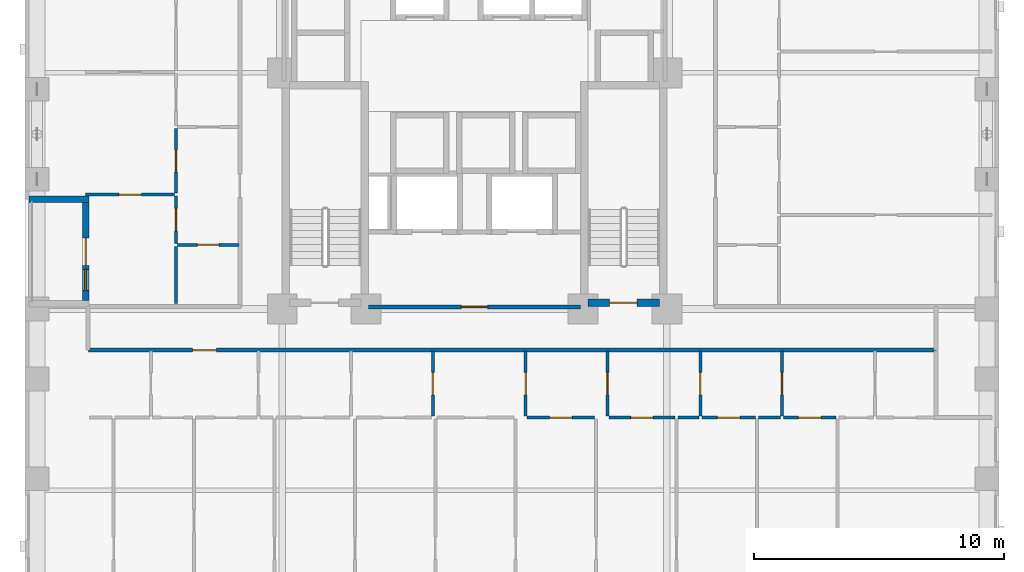
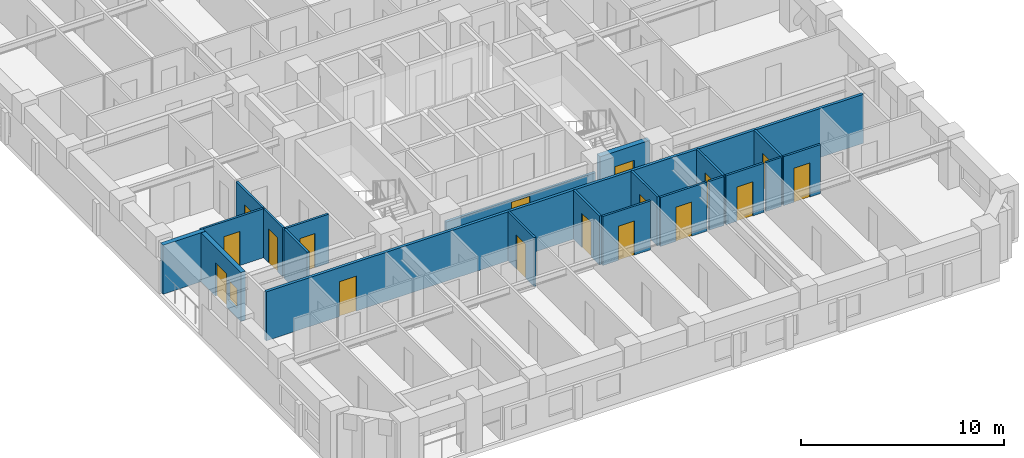
# One storey, part 4 of 14: 21 walls, 17 doors, 1 window, 18 openings.
"""IFC4 building model written with IfcOpenShell, lengths in metres."""

from ifc_helpers import new_model, si_unit, derived_unit, direction, frame, frame_2d, origin, place, context, subcontext, project, spatial, rectangle, extrude, material, layer, layer_set, type_object, element, fill, save


model = new_model("IFC4")

# Units and contexts
model_context = context("Model", 3, precision=1e-05, world=origin(), true_north=direction((0.0, 1.0)))
body_context = subcontext(model_context, "Body", "Model", "MODEL_VIEW")
ifc_project = project(units=[si_unit("LENGTHUNIT", "METRE"), si_unit("AREAUNIT", "SQUARE_METRE"), si_unit("VOLUMEUNIT", "CUBIC_METRE"), si_unit("PLANEANGLEUNIT", "RADIAN"), si_unit("MASSUNIT", "GRAM", prefix="KILO"), derived_unit("THERMALTRANSMITTANCEUNIT", [(si_unit("MASSUNIT", "GRAM", prefix="KILO"), 1), (si_unit("TIMEUNIT", "SECOND"), -3), (si_unit("THERMODYNAMICTEMPERATUREUNIT", "KELVIN"), -1)])], contexts=[model_context])

# Site, building, storey
site_placement = place(None, origin())
site = spatial("IfcSite", under=ifc_project, at=site_placement, CompositionType="ELEMENT")
building_placement = place(site_placement, origin())
building = spatial("IfcBuilding", under=site, at=building_placement, Name="Korrvale Station Residences", CompositionType="ELEMENT")
storey_placement = place(building_placement, frame((0.0, 0.0, 29.0)))
storey = spatial("IfcBuildingStorey", under=building, at=storey_placement, Name="L06", CompositionType="ELEMENT", Elevation=29.0)

# Wall, opening, door
ifc_material_1 = material(Name="Concrete C70/85", Category="concrete")
ifc_layer_1 = layer(ifc_material_1, 0.300048828125, Name="Concrete C70/85")
ifc_layer_set_1 = layer_set([ifc_layer_1], Name="Concrete C70/85")
wall_type_1 = type_object("IfcWallType", Name="WAL-CORE-300-C70", PredefinedType="SHEAR", material=ifc_layer_set_1)
wall_1_placement = place(storey_placement, frame((30.050048828125, 15.25, 0.0), z_axis=(0.0, 0.0, 1.0), x_axis=(1.0, 0.0, 0.0)))
wall_1 = element("IfcWall", 1, at=wall_1_placement, inside=storey, type_object=wall_type_1, Name="L06 ST-2 Core Shear Wall South", PredefinedType="SHEAR", context=body_context, shape_type="SweptSolid", body=[
    extrude(rectangle(XDim=2.849853515625, YDim=0.300048828125, at=frame_2d((1.4248046875, 0.0))), origin(), (0.0, 0.0, 1.0), 2.93994140625),
])
opening_1_placement = place(wall_1_placement, frame((0.860107421875, 0.0, 0.0)))
opening_1 = element("IfcOpeningElement", 2, at=opening_1_placement, cuts=wall_1, Name="Opening SD-1100", PredefinedType="OPENING", context=body_context, shape_type="SweptSolid", body=[
    extrude(rectangle(XDim=1.10009765625, YDim=2.050048828125, at=frame_2d((0.550048828125, 1.02490234375))), frame((0.0, 0.16015625, 0.0), z_axis=(0.0, -1.0, 0.0), x_axis=(1.0, 0.0, 0.0)), (0.0, 0.0, 1.0), 0.320068359375),
])
ifc_material_2 = material(Name="Hollow-metal fire-rated stair door with closer", Category="steel")
door_type_1 = type_object("IfcDoorType", Name="DR-STAIR-1100", OperationType="NOTDEFINED", PredefinedType="DOOR", material=ifc_material_2)
door_1_placement = place(opening_1_placement, origin())
door_1 = element("IfcDoor", 3, at=door_1_placement, inside=storey, type_object=door_type_1, Name="L06 ST-2 Exit Stair Door", OperationType="SINGLE_SWING_RIGHT", OverallHeight=2.050048828125, OverallWidth=1.10009765625, PredefinedType="DOOR", context=body_context, shape_type="SweptSolid", body=[
    extrude(rectangle(XDim=1.10009765625, YDim=2.050048828125, at=frame_2d((0.550048828125, 1.02490234375))), frame((0.0, 0.02490234375, 0.0), z_axis=(0.0, -1.0, 0.0), x_axis=(1.0, 0.0, 0.0)), (0.0, 0.0, 1.0), 0.050048828125),
])
fill(opening_1, door_1)

# Wall, openings, door, window
ifc_material_3 = material(Name="Precast concrete C45/55", Category="concrete")
ifc_layer_2 = layer(ifc_material_3, 0.260009765625, Name="Precast concrete C45/55")
ifc_layer_set_2 = layer_set([ifc_layer_2], Name="Precast concrete C45/55")
wall_type_2 = type_object("IfcWallType", Name="WAL-EXT-LOG260", PredefinedType="SOLIDWALL", material=ifc_layer_set_2)
wall_2_placement = place(storey_placement, frame((9.929931640625, 15.333984375, 0.0), z_axis=(0.0, 0.0, 1.0), x_axis=(0.0, 1.0, 0.0)))
wall_2 = element("IfcWall", 4, at=wall_2_placement, inside=storey, type_object=wall_type_2, Name="L06 Recessed Loggia Wall BAL-L06-W1-B", PredefinedType="SOLIDWALL", context=body_context, shape_type="SweptSolid", body=[
    extrude(rectangle(XDim=3.93212890625, YDim=0.260009765625, at=frame_2d((1.966064453125, 0.0))), origin(), (0.0, 0.0, 1.0), 2.93994140625),
])
opening_2_placement = place(wall_2_placement, frame((1.416015625, 0.0, 0.0)))
opening_2 = element("IfcOpeningElement", 5, at=opening_2_placement, cuts=wall_2, Name="Opening BD-01", PredefinedType="OPENING", context=body_context, shape_type="SweptSolid", body=[
    extrude(rectangle(XDim=1.10009765625, YDim=2.0, at=frame_2d((0.550048828125, 1.0))), frame((0.0, 0.14013671875, 0.0), z_axis=(0.0, -1.0, 0.0), x_axis=(1.0, 0.0, 0.0)), (0.0, 0.0, 1.0), 0.280029296875),
])
opening_3_placement = place(wall_2_placement, frame((0.406005859375, 0.0, 0.550048828125)))
opening_3 = element("IfcOpeningElement", 6, at=opening_3_placement, cuts=wall_2, Name="Opening W-11", PredefinedType="OPENING", context=body_context, shape_type="SweptSolid", body=[
    extrude(rectangle(XDim=0.85009765625, YDim=1.199951171875, at=frame_2d((0.425048828125, 0.60009765625))), frame((0.0, 0.14013671875, 0.0), z_axis=(0.0, -1.0, 0.0), x_axis=(1.0, 0.0, 0.0)), (0.0, 0.0, 1.0), 0.280029296875),
])
ifc_material_4 = material(Name="Exterior thermally broken aluminium glazed balcony door", Category="aluminium")
door_type_2 = type_object("IfcDoorType", Name="DR-EXT-BAL", OperationType="NOTDEFINED", PredefinedType="DOOR", material=ifc_material_4)
door_2_placement = place(opening_2_placement, origin())
door_2 = element("IfcDoor", 7, at=door_2_placement, inside=storey, type_object=door_type_2, Name="L06 Loggia Balcony Door BAL-L06-W1", OperationType="SINGLE_SWING_RIGHT", OverallHeight=2.0, OverallWidth=1.10009765625, PredefinedType="DOOR", context=body_context, shape_type="SweptSolid", body=[
    extrude(rectangle(XDim=1.10009765625, YDim=2.0, at=frame_2d((0.550048828125, 1.0))), frame((0.0, 0.02490234375, 0.0), z_axis=(0.0, -1.0, 0.0), x_axis=(1.0, 0.0, 0.0)), (0.0, 0.0, 1.0), 0.050048828125),
])
fill(opening_2, door_2)
ifc_material_5 = material(Name="Thermally broken aluminium frame with triple low-e glazing", Category="aluminium")
window_type = type_object("IfcWindowType", Name="WIN-W11", PartitioningType="SINGLE_PANEL", PredefinedType="WINDOW", material=ifc_material_5)
window_placement = place(opening_3_placement, origin())
window = element("IfcWindow", 8, at=window_placement, inside=storey, type_object=window_type, Name="L06 Punched Window 23", OverallHeight=1.199951171875, OverallWidth=0.85009765625, PartitioningType="SINGLE_PANEL", PredefinedType="WINDOW", context=body_context, shape_type="SweptSolid", body=[
    extrude(rectangle(XDim=0.85009765625, YDim=1.199951171875, at=frame_2d((0.425048828125, 0.60009765625))), frame((0.0, 0.030029296875, 0.0), z_axis=(0.0, -1.0, 0.0), x_axis=(1.0, 0.0, 0.0)), (0.0, 0.0, 1.0), 0.06005859375),
])
fill(opening_3, window)

# Wall
wall_3_placement = place(storey_placement, frame((10.06005859375, 19.39990234375, 0.0), z_axis=(0.0, 0.0, 1.0), x_axis=(-1.0, 0.0, 0.0)))
element("IfcWall", 9, at=wall_3_placement, inside=storey, type_object=wall_type_2, Name="L06 Recessed Loggia Wall BAL-L06-W1-R", PredefinedType="SOLIDWALL", context=body_context, shape_type="SweptSolid", body=[
    extrude(rectangle(XDim=2.400146484375, YDim=0.260009765625, at=frame_2d((1.2001953125, 0.0))), origin(), (0.0, 0.0, 1.0), 2.93994140625),
])

# Wall, opening, door
ifc_material_6 = material(Name="Acoustic steel-stud gypsum board partition", Category="steel")
ifc_layer_3 = layer(ifc_material_6, 0.1201171875, Name="Acoustic steel-stud gypsum board partition")
ifc_layer_set_3 = layer_set([ifc_layer_3], Name="Acoustic steel-stud gypsum board partition")
wall_type_3 = type_object("IfcWallType", Name="WAL-PART-125", PredefinedType="PARTITIONING", material=ifc_layer_set_3)
wall_4_placement = place(storey_placement, frame((23.830078125, 10.7099609375, 0.0), z_axis=(0.0, 0.0, 1.0), x_axis=(0.0, 1.0, 0.0)))
wall_4 = element("IfcWall", 10, at=wall_4_placement, inside=storey, type_object=wall_type_3, Name="L06 Suite Partition U01-V34", PredefinedType="PARTITIONING", context=body_context, shape_type="SweptSolid", body=[
    extrude(rectangle(XDim=2.60009765625, YDim=0.1201171875, at=frame_2d((1.300048828125, 0.0))), origin(), (0.0, 0.0, 1.0), 2.93994140625),
])
opening_4_placement = place(wall_4_placement, frame((0.85009765625, 0.0, 0.0)))
opening_4 = element("IfcOpeningElement", 11, at=opening_4_placement, cuts=wall_4, Name="Opening DI-900", PredefinedType="OPENING", context=body_context, shape_type="SweptSolid", body=[
    extrude(rectangle(XDim=0.89990234375, YDim=2.050048828125, at=frame_2d((0.449951171875, 1.02490234375))), frame((0.0, 0.070068359375, 0.0), z_axis=(0.0, -1.0, 0.0), x_axis=(1.0, 0.0, 0.0)), (0.0, 0.0, 1.0), 0.14013671875),
])
ifc_material_7 = material(Name="Painted solid-core timber interior room door", Category="wood")
door_type_3 = type_object("IfcDoorType", Name="DR-INT-900", OperationType="NOTDEFINED", PredefinedType="DOOR", material=ifc_material_7)
door_3_placement = place(opening_4_placement, origin())
door_3 = element("IfcDoor", 12, at=door_3_placement, inside=storey, type_object=door_type_3, Name="L06 Studio Apartment L06-U01 Storage Closet 2 Door", OperationType="SINGLE_SWING_RIGHT", OverallHeight=2.050048828125, OverallWidth=0.89990234375, PredefinedType="DOOR", context=body_context, shape_type="SweptSolid", body=[
    extrude(rectangle(XDim=0.89990234375, YDim=2.050048828125, at=frame_2d((0.449951171875, 1.02490234375))), frame((0.0, 0.02490234375, 0.0), z_axis=(0.0, -1.0, 0.0), x_axis=(1.0, 0.0, 0.0)), (0.0, 0.0, 1.0), 0.050048828125),
])
fill(opening_4, door_3)

wall_5_placement = place(storey_placement, frame((27.550048828125, 10.7099609375, 0.0), z_axis=(0.0, 0.0, 1.0), x_axis=(0.0, 1.0, 0.0)))
wall_5 = element("IfcWall", 13, at=wall_5_placement, inside=storey, type_object=wall_type_3, Name="L06 Suite Partition U01-V45", PredefinedType="PARTITIONING", context=body_context, shape_type="SweptSolid", body=[
    extrude(rectangle(XDim=2.60009765625, YDim=0.1201171875, at=frame_2d((1.300048828125, 0.0))), origin(), (0.0, 0.0, 1.0), 2.93994140625),
])
opening_5_placement = place(wall_5_placement, frame((0.85009765625, 0.0, 0.0)))
opening_5 = element("IfcOpeningElement", 14, at=opening_5_placement, cuts=wall_5, Name="Opening DI-900", PredefinedType="OPENING", context=body_context, shape_type="SweptSolid", body=[
    extrude(rectangle(XDim=0.89990234375, YDim=2.050048828125, at=frame_2d((0.449951171875, 1.02490234375))), frame((0.0, 0.070068359375, 0.0), z_axis=(0.0, -1.0, 0.0), x_axis=(1.0, 0.0, 0.0)), (0.0, 0.0, 1.0), 0.14013671875),
])
door_4_placement = place(opening_5_placement, origin())
door_4 = element("IfcDoor", 15, at=door_4_placement, inside=storey, type_object=door_type_3, Name="L06 Studio Apartment L06-U01 Storage Closet 3 Door", OperationType="SINGLE_SWING_RIGHT", OverallHeight=2.050048828125, OverallWidth=0.89990234375, PredefinedType="DOOR", context=body_context, shape_type="SweptSolid", body=[
    extrude(rectangle(XDim=0.89990234375, YDim=2.050048828125, at=frame_2d((0.449951171875, 1.02490234375))), frame((0.0, 0.02490234375, 0.0), z_axis=(0.0, -1.0, 0.0), x_axis=(1.0, 0.0, 0.0)), (0.0, 0.0, 1.0), 0.050048828125),
])
fill(opening_5, door_4)

wall_6_placement = place(storey_placement, frame((30.820068359375, 10.7099609375, 0.0), z_axis=(0.0, 0.0, 1.0), x_axis=(0.0, 1.0, 0.0)))
wall_6 = element("IfcWall", 16, at=wall_6_placement, inside=storey, type_object=wall_type_3, Name="L06 Suite Partition U01-V56", PredefinedType="PARTITIONING", context=body_context, shape_type="SweptSolid", body=[
    extrude(rectangle(XDim=2.60009765625, YDim=0.1201171875, at=frame_2d((1.300048828125, 0.0))), origin(), (0.0, 0.0, 1.0), 2.93994140625),
])
opening_6_placement = place(wall_6_placement, frame((0.85009765625, 0.0, 0.0)))
opening_6 = element("IfcOpeningElement", 17, at=opening_6_placement, cuts=wall_6, Name="Opening DI-900", PredefinedType="OPENING", context=body_context, shape_type="SweptSolid", body=[
    extrude(rectangle(XDim=0.89990234375, YDim=2.050048828125, at=frame_2d((0.449951171875, 1.02490234375))), frame((0.0, 0.070068359375, 0.0), z_axis=(0.0, -1.0, 0.0), x_axis=(1.0, 0.0, 0.0)), (0.0, 0.0, 1.0), 0.14013671875),
])
door_5_placement = place(opening_6_placement, origin())
door_5 = element("IfcDoor", 18, at=door_5_placement, inside=storey, type_object=door_type_3, Name="L06 Studio Apartment L06-U01 Storage Closet 4 Door", OperationType="SINGLE_SWING_RIGHT", OverallHeight=2.050048828125, OverallWidth=0.89990234375, PredefinedType="DOOR", context=body_context, shape_type="SweptSolid", body=[
    extrude(rectangle(XDim=0.89990234375, YDim=2.050048828125, at=frame_2d((0.449951171875, 1.02490234375))), frame((0.0, 0.02490234375, 0.0), z_axis=(0.0, -1.0, 0.0), x_axis=(1.0, 0.0, 0.0)), (0.0, 0.0, 1.0), 0.050048828125),
])
fill(opening_6, door_5)

wall_7_placement = place(storey_placement, frame((27.610107421875, 10.64990234375, 0.0), z_axis=(0.0, 0.0, 1.0), x_axis=(1.0, 0.0, 0.0)))
wall_7 = element("IfcWall", 19, at=wall_7_placement, inside=storey, type_object=wall_type_3, Name="L06 Suite Partition U01-H516", PredefinedType="PARTITIONING", context=body_context, shape_type="SweptSolid", body=[
    extrude(rectangle(XDim=2.699951171875, YDim=0.1201171875, at=frame_2d((1.35009765625, 0.0))), origin(), (0.0, 0.0, 1.0), 2.93994140625),
])
opening_7_placement = place(wall_7_placement, frame((0.89990234375, 0.0, 0.0)))
opening_7 = element("IfcOpeningElement", 20, at=opening_7_placement, cuts=wall_7, Name="Opening DI-900", PredefinedType="OPENING", context=body_context, shape_type="SweptSolid", body=[
    extrude(rectangle(XDim=0.89990234375, YDim=2.050048828125, at=frame_2d((0.449951171875, 1.02490234375))), frame((0.0, 0.070068359375, 0.0), z_axis=(0.0, -1.0, 0.0), x_axis=(1.0, 0.0, 0.0)), (0.0, 0.0, 1.0), 0.14013671875),
])
door_6_placement = place(opening_7_placement, origin())
door_6 = element("IfcDoor", 21, at=door_6_placement, inside=storey, type_object=door_type_3, Name="L06 Studio Apartment L06-U01 Storage Closet 4 Door", OperationType="SINGLE_SWING_LEFT", OverallHeight=2.050048828125, OverallWidth=0.89990234375, PredefinedType="DOOR", context=body_context, shape_type="SweptSolid", body=[
    extrude(rectangle(XDim=0.89990234375, YDim=2.050048828125, at=frame_2d((0.449951171875, 1.02490234375))), frame((0.0, 0.02490234375, 0.0), z_axis=(0.0, -1.0, 0.0), x_axis=(1.0, 0.0, 0.0)), (0.0, 0.0, 1.0), 0.050048828125),
])
fill(opening_7, door_6)

wall_8_placement = place(storey_placement, frame((34.5400390625, 10.7099609375, 0.0), z_axis=(0.0, 0.0, 1.0), x_axis=(0.0, 1.0, 0.0)))
wall_8 = element("IfcWall", 22, at=wall_8_placement, inside=storey, type_object=wall_type_3, Name="L06 Suite Partition U01-V67", PredefinedType="PARTITIONING", context=body_context, shape_type="SweptSolid", body=[
    extrude(rectangle(XDim=2.60009765625, YDim=0.1201171875, at=frame_2d((1.300048828125, 0.0))), origin(), (0.0, 0.0, 1.0), 2.93994140625),
])
opening_8_placement = place(wall_8_placement, frame((0.85009765625, 0.0, 0.0)))
opening_8 = element("IfcOpeningElement", 23, at=opening_8_placement, cuts=wall_8, Name="Opening DI-900", PredefinedType="OPENING", context=body_context, shape_type="SweptSolid", body=[
    extrude(rectangle(XDim=0.89990234375, YDim=2.050048828125, at=frame_2d((0.449951171875, 1.02490234375))), frame((0.0, 0.070068359375, 0.0), z_axis=(0.0, -1.0, 0.0), x_axis=(1.0, 0.0, 0.0)), (0.0, 0.0, 1.0), 0.14013671875),
])
door_7_placement = place(opening_8_placement, origin())
door_7 = element("IfcDoor", 24, at=door_7_placement, inside=storey, type_object=door_type_3, Name="L06 Studio Apartment L06-U01 Storage Closet 5 Door", OperationType="SINGLE_SWING_RIGHT", OverallHeight=2.050048828125, OverallWidth=0.89990234375, PredefinedType="DOOR", context=body_context, shape_type="SweptSolid", body=[
    extrude(rectangle(XDim=0.89990234375, YDim=2.050048828125, at=frame_2d((0.449951171875, 1.02490234375))), frame((0.0, 0.02490234375, 0.0), z_axis=(0.0, -1.0, 0.0), x_axis=(1.0, 0.0, 0.0)), (0.0, 0.0, 1.0), 0.050048828125),
])
fill(opening_8, door_7)

wall_9_placement = place(storey_placement, frame((30.8798828125, 10.64990234375, 0.0), z_axis=(0.0, 0.0, 1.0), x_axis=(1.0, 0.0, 0.0)))
wall_9 = element("IfcWall", 25, at=wall_9_placement, inside=storey, type_object=wall_type_3, Name="L06 Suite Partition U01-H617", PredefinedType="PARTITIONING", context=body_context, shape_type="SweptSolid", body=[
    extrude(rectangle(XDim=2.650146484375, YDim=0.1201171875, at=frame_2d((1.3251953125, 0.0))), origin(), (0.0, 0.0, 1.0), 2.93994140625),
])
opening_9_placement = place(wall_9_placement, frame((0.875, 0.0, 0.0)))
opening_9 = element("IfcOpeningElement", 26, at=opening_9_placement, cuts=wall_9, Name="Opening DI-900", PredefinedType="OPENING", context=body_context, shape_type="SweptSolid", body=[
    extrude(rectangle(XDim=0.89990234375, YDim=2.050048828125, at=frame_2d((0.449951171875, 1.02490234375))), frame((0.0, 0.070068359375, 0.0), z_axis=(0.0, -1.0, 0.0), x_axis=(1.0, 0.0, 0.0)), (0.0, 0.0, 1.0), 0.14013671875),
])
door_8_placement = place(opening_9_placement, origin())
door_8 = element("IfcDoor", 27, at=door_8_placement, inside=storey, type_object=door_type_3, Name="L06 Studio Apartment L06-U01 Storage Closet 5 Door", OperationType="SINGLE_SWING_LEFT", OverallHeight=2.050048828125, OverallWidth=0.89990234375, PredefinedType="DOOR", context=body_context, shape_type="SweptSolid", body=[
    extrude(rectangle(XDim=0.89990234375, YDim=2.050048828125, at=frame_2d((0.449951171875, 1.02490234375))), frame((0.0, 0.02490234375, 0.0), z_axis=(0.0, -1.0, 0.0), x_axis=(1.0, 0.0, 0.0)), (0.0, 0.0, 1.0), 0.050048828125),
])
fill(opening_9, door_8)

# Wall
wall_10_placement = place(storey_placement, frame((33.64990234375, 10.64990234375, 0.0), z_axis=(0.0, 0.0, 1.0), x_axis=(1.0, 0.0, 0.0)))
element("IfcWall", 28, at=wall_10_placement, inside=storey, type_object=wall_type_3, Name="L06 Suite Partition U01-H618", PredefinedType="PARTITIONING", context=body_context, shape_type="SweptSolid", body=[
    extrude(rectangle(XDim=0.830078125, YDim=0.1201171875, at=frame_2d((0.4150390625, 0.0))), origin(), (0.0, 0.0, 1.0), 2.93994140625),
])

# Wall, opening, door
wall_11_placement = place(storey_placement, frame((37.81005859375, 10.7099609375, 0.0), z_axis=(0.0, 0.0, 1.0), x_axis=(0.0, 1.0, 0.0)))
wall_11 = element("IfcWall", 29, at=wall_11_placement, inside=storey, type_object=wall_type_3, Name="L06 Suite Partition U01-V78", PredefinedType="PARTITIONING", context=body_context, shape_type="SweptSolid", body=[
    extrude(rectangle(XDim=2.60009765625, YDim=0.1201171875, at=frame_2d((1.300048828125, 0.0))), origin(), (0.0, 0.0, 1.0), 2.93994140625),
])
opening_10_placement = place(wall_11_placement, frame((0.85009765625, 0.0, 0.0)))
opening_10 = element("IfcOpeningElement", 30, at=opening_10_placement, cuts=wall_11, Name="Opening DI-900", PredefinedType="OPENING", context=body_context, shape_type="SweptSolid", body=[
    extrude(rectangle(XDim=0.89990234375, YDim=2.050048828125, at=frame_2d((0.449951171875, 1.02490234375))), frame((0.0, 0.070068359375, 0.0), z_axis=(0.0, -1.0, 0.0), x_axis=(1.0, 0.0, 0.0)), (0.0, 0.0, 1.0), 0.14013671875),
])
door_9_placement = place(opening_10_placement, origin())
door_9 = element("IfcDoor", 31, at=door_9_placement, inside=storey, type_object=door_type_3, Name="L06 Studio Apartment L06-U01 Storage Closet 6 Door", OperationType="SINGLE_SWING_RIGHT", OverallHeight=2.050048828125, OverallWidth=0.89990234375, PredefinedType="DOOR", context=body_context, shape_type="SweptSolid", body=[
    extrude(rectangle(XDim=0.89990234375, YDim=2.050048828125, at=frame_2d((0.449951171875, 1.02490234375))), frame((0.0, 0.02490234375, 0.0), z_axis=(0.0, -1.0, 0.0), x_axis=(1.0, 0.0, 0.0)), (0.0, 0.0, 1.0), 0.050048828125),
])
fill(opening_10, door_9)

wall_12_placement = place(storey_placement, frame((34.60009765625, 10.64990234375, 0.0), z_axis=(0.0, 0.0, 1.0), x_axis=(1.0, 0.0, 0.0)))
wall_12 = element("IfcWall", 32, at=wall_12_placement, inside=storey, type_object=wall_type_3, Name="L06 Suite Partition U01-H718", PredefinedType="PARTITIONING", context=body_context, shape_type="SweptSolid", body=[
    extrude(rectangle(XDim=2.14990234375, YDim=0.1201171875, at=frame_2d((1.074951171875, 0.0))), origin(), (0.0, 0.0, 1.0), 2.93994140625),
])
opening_11_placement = place(wall_12_placement, frame((0.625, 0.0, 0.0)))
opening_11 = element("IfcOpeningElement", 33, at=opening_11_placement, cuts=wall_12, Name="Opening DI-900", PredefinedType="OPENING", context=body_context, shape_type="SweptSolid", body=[
    extrude(rectangle(XDim=0.89990234375, YDim=2.050048828125, at=frame_2d((0.449951171875, 1.02490234375))), frame((0.0, 0.070068359375, 0.0), z_axis=(0.0, -1.0, 0.0), x_axis=(1.0, 0.0, 0.0)), (0.0, 0.0, 1.0), 0.14013671875),
])
door_10_placement = place(opening_11_placement, origin())
door_10 = element("IfcDoor", 34, at=door_10_placement, inside=storey, type_object=door_type_3, Name="L06 Studio Apartment L06-U01 Storage Closet 6 Door", OperationType="SINGLE_SWING_LEFT", OverallHeight=2.050048828125, OverallWidth=0.89990234375, PredefinedType="DOOR", context=body_context, shape_type="SweptSolid", body=[
    extrude(rectangle(XDim=0.89990234375, YDim=2.050048828125, at=frame_2d((0.449951171875, 1.02490234375))), frame((0.0, 0.02490234375, 0.0), z_axis=(0.0, -1.0, 0.0), x_axis=(1.0, 0.0, 0.0)), (0.0, 0.0, 1.0), 0.050048828125),
])
fill(opening_11, door_10)

# Wall
wall_13_placement = place(storey_placement, frame((36.8701171875, 10.64990234375, 0.0), z_axis=(0.0, 0.0, 1.0), x_axis=(1.0, 0.0, 0.0)))
element("IfcWall", 35, at=wall_13_placement, inside=storey, type_object=wall_type_3, Name="L06 Suite Partition U01-H719", PredefinedType="PARTITIONING", context=body_context, shape_type="SweptSolid", body=[
    extrude(rectangle(XDim=0.8798828125, YDim=0.1201171875, at=frame_2d((0.43994140625, 0.0))), origin(), (0.0, 0.0, 1.0), 2.93994140625),
])

# Wall, opening, door
wall_14_placement = place(storey_placement, frame((37.8701171875, 10.64990234375, 0.0), z_axis=(0.0, 0.0, 1.0), x_axis=(1.0, 0.0, 0.0)))
wall_14 = element("IfcWall", 36, at=wall_14_placement, inside=storey, type_object=wall_type_3, Name="L06 Suite Partition U01-H819", PredefinedType="PARTITIONING", context=body_context, shape_type="SweptSolid", body=[
    extrude(rectangle(XDim=2.099853515625, YDim=0.1201171875, at=frame_2d((1.0498046875, 0.0))), origin(), (0.0, 0.0, 1.0), 2.93994140625),
])
opening_12_placement = place(wall_14_placement, frame((0.60009765625, 0.0, 0.0)))
opening_12 = element("IfcOpeningElement", 37, at=opening_12_placement, cuts=wall_14, Name="Opening DI-900", PredefinedType="OPENING", context=body_context, shape_type="SweptSolid", body=[
    extrude(rectangle(XDim=0.89990234375, YDim=2.050048828125, at=frame_2d((0.449951171875, 1.02490234375))), frame((0.0, 0.070068359375, 0.0), z_axis=(0.0, -1.0, 0.0), x_axis=(1.0, 0.0, 0.0)), (0.0, 0.0, 1.0), 0.14013671875),
])
door_11_placement = place(opening_12_placement, origin())
door_11 = element("IfcDoor", 38, at=door_11_placement, inside=storey, type_object=door_type_3, Name="L06 Studio Apartment L06-U01 Storage Closet 7 Door", OperationType="SINGLE_SWING_LEFT", OverallHeight=2.050048828125, OverallWidth=0.89990234375, PredefinedType="DOOR", context=body_context, shape_type="SweptSolid", body=[
    extrude(rectangle(XDim=0.89990234375, YDim=2.050048828125, at=frame_2d((0.449951171875, 1.02490234375))), frame((0.0, 0.02490234375, 0.0), z_axis=(0.0, -1.0, 0.0), x_axis=(1.0, 0.0, 0.0)), (0.0, 0.0, 1.0), 0.050048828125),
])
fill(opening_12, door_11)

wall_15_placement = place(storey_placement, frame((13.610107421875, 17.570068359375, 0.0), z_axis=(0.0, 0.0, 1.0), x_axis=(1.0, 0.0, 0.0)))
wall_15 = element("IfcWall", 39, at=wall_15_placement, inside=storey, type_object=wall_type_3, Name="L06 Suite Partition U04-H12", PredefinedType="PARTITIONING", context=body_context, shape_type="SweptSolid", body=[
    extrude(rectangle(XDim=2.449951171875, YDim=0.1201171875, at=frame_2d((1.22509765625, 0.0))), origin(), (0.0, 0.0, 1.0), 2.93994140625),
])
opening_13_placement = place(wall_15_placement, frame((0.794921875, 0.0, 0.0)))
opening_13 = element("IfcOpeningElement", 40, at=opening_13_placement, cuts=wall_15, Name="Opening DB-860", PredefinedType="OPENING", context=body_context, shape_type="SweptSolid", body=[
    extrude(rectangle(XDim=0.860107421875, YDim=2.050048828125, at=frame_2d((0.43017578125, 1.02490234375))), frame((0.0, 0.070068359375, 0.0), z_axis=(0.0, -1.0, 0.0), x_axis=(1.0, 0.0, 0.0)), (0.0, 0.0, 1.0), 0.14013671875),
])
ifc_material_8 = material(Name="Moisture-resistant solid-core bathroom door", Category="timber")
door_type_4 = type_object("IfcDoorType", Name="DR-BATH-860", OperationType="NOTDEFINED", PredefinedType="DOOR", material=ifc_material_8)
door_12_placement = place(opening_13_placement, origin())
door_12 = element("IfcDoor", 41, at=door_12_placement, inside=storey, type_object=door_type_4, Name="L06 Apartment 2BR L06-U04 Bathroom Door", OperationType="SINGLE_SWING_LEFT", OverallHeight=2.050048828125, OverallWidth=0.860107421875, PredefinedType="DOOR", context=body_context, shape_type="SweptSolid", body=[
    extrude(rectangle(XDim=0.860107421875, YDim=2.050048828125, at=frame_2d((0.43017578125, 1.02490234375))), frame((0.0, 0.02490234375, 0.0), z_axis=(0.0, -1.0, 0.0), x_axis=(1.0, 0.0, 0.0)), (0.0, 0.0, 1.0), 0.050048828125),
])
fill(opening_13, door_12)

# Wall
wall_16_placement = place(storey_placement, frame((13.550048828125, 15.2099609375, 0.0), z_axis=(0.0, 0.0, 1.0), x_axis=(0.0, 1.0, 0.0)))
element("IfcWall", 42, at=wall_16_placement, inside=storey, type_object=wall_type_3, Name="L06 Suite Partition U04-V13", PredefinedType="PARTITIONING", context=body_context, shape_type="SweptSolid", body=[
    extrude(rectangle(XDim=2.300048828125, YDim=0.1201171875, at=frame_2d((1.14990234375, 0.0))), origin(), (0.0, 0.0, 1.0), 2.93994140625),
])

# Wall, opening, door
wall_17_placement = place(storey_placement, frame((13.550048828125, 17.6298828125, 0.0), z_axis=(0.0, 0.0, 1.0), x_axis=(0.0, 1.0, 0.0)))
wall_17 = element("IfcWall", 43, at=wall_17_placement, inside=storey, type_object=wall_type_3, Name="L06 Suite Partition U04-V23", PredefinedType="PARTITIONING", context=body_context, shape_type="SweptSolid", body=[
    extrude(rectangle(XDim=1.88818359375, YDim=0.1201171875, at=frame_2d((0.944091796875, 0.0))), origin(), (0.0, 0.0, 1.0), 2.93994140625),
])
opening_14_placement = place(wall_17_placement, frame((0.493896484375, 0.0, 0.0)))
opening_14 = element("IfcOpeningElement", 44, at=opening_14_placement, cuts=wall_17, Name="Opening DI-900", PredefinedType="OPENING", context=body_context, shape_type="SweptSolid", body=[
    extrude(rectangle(XDim=0.89990234375, YDim=2.050048828125, at=frame_2d((0.449951171875, 1.02490234375))), frame((0.0, 0.070068359375, 0.0), z_axis=(0.0, -1.0, 0.0), x_axis=(1.0, 0.0, 0.0)), (0.0, 0.0, 1.0), 0.14013671875),
])
door_13_placement = place(opening_14_placement, origin())
door_13 = element("IfcDoor", 45, at=door_13_placement, inside=storey, type_object=door_type_3, Name="L06 Apartment 2BR L06-U04 Kitchen Door", OperationType="SINGLE_SWING_RIGHT", OverallHeight=2.050048828125, OverallWidth=0.89990234375, PredefinedType="DOOR", context=body_context, shape_type="SweptSolid", body=[
    extrude(rectangle(XDim=0.89990234375, YDim=2.050048828125, at=frame_2d((0.449951171875, 1.02490234375))), frame((0.0, 0.02490234375, 0.0), z_axis=(0.0, -1.0, 0.0), x_axis=(1.0, 0.0, 0.0)), (0.0, 0.0, 1.0), 0.050048828125),
])
fill(opening_14, door_13)

wall_18_placement = place(storey_placement, frame((13.550048828125, 19.637939453125, 0.0), z_axis=(0.0, 0.0, 1.0), x_axis=(0.0, 1.0, 0.0)))
wall_18 = element("IfcWall", 46, at=wall_18_placement, inside=storey, type_object=wall_type_3, Name="L06 Suite Partition U04-V24", PredefinedType="PARTITIONING", context=body_context, shape_type="SweptSolid", body=[
    extrude(rectangle(XDim=2.592041015625, YDim=0.1201171875, at=frame_2d((1.2958984375, 0.0))), origin(), (0.0, 0.0, 1.0), 2.93994140625),
])
opening_15_placement = place(wall_18_placement, frame((0.845947265625, 0.0, 0.0)))
opening_15 = element("IfcOpeningElement", 47, at=opening_15_placement, cuts=wall_18, Name="Opening DI-900", PredefinedType="OPENING", context=body_context, shape_type="SweptSolid", body=[
    extrude(rectangle(XDim=0.89990234375, YDim=2.050048828125, at=frame_2d((0.449951171875, 1.02490234375))), frame((0.0, 0.070068359375, 0.0), z_axis=(0.0, -1.0, 0.0), x_axis=(1.0, 0.0, 0.0)), (0.0, 0.0, 1.0), 0.14013671875),
])
door_14_placement = place(opening_15_placement, origin())
door_14 = element("IfcDoor", 48, at=door_14_placement, inside=storey, type_object=door_type_3, Name="L06 Apartment 2BR L06-U04 Kitchen Door", OperationType="SINGLE_SWING_LEFT", OverallHeight=2.050048828125, OverallWidth=0.89990234375, PredefinedType="DOOR", context=body_context, shape_type="SweptSolid", body=[
    extrude(rectangle(XDim=0.89990234375, YDim=2.050048828125, at=frame_2d((0.449951171875, 1.02490234375))), frame((0.0, 0.02490234375, 0.0), z_axis=(0.0, -1.0, 0.0), x_axis=(1.0, 0.0, 0.0)), (0.0, 0.0, 1.0), 0.050048828125),
])
fill(opening_15, door_14)

wall_19_placement = place(storey_placement, frame((9.929931640625, 19.577880859375, 0.0), z_axis=(0.0, 0.0, 1.0), x_axis=(1.0, 0.0, 0.0)))
wall_19 = element("IfcWall", 49, at=wall_19_placement, inside=storey, type_object=wall_type_3, Name="L06 Suite Partition U04-H34", PredefinedType="PARTITIONING", context=body_context, shape_type="SweptSolid", body=[
    extrude(rectangle(XDim=3.56005859375, YDim=0.1201171875, at=frame_2d((1.780029296875, 0.0))), origin(), (0.0, 0.0, 1.0), 2.93994140625),
])
opening_16_placement = place(wall_19_placement, frame((1.330078125, 0.0, 0.0)))
opening_16 = element("IfcOpeningElement", 50, at=opening_16_placement, cuts=wall_19, Name="Opening DI-900", PredefinedType="OPENING", context=body_context, shape_type="SweptSolid", body=[
    extrude(rectangle(XDim=0.89990234375, YDim=2.050048828125, at=frame_2d((0.449951171875, 1.02490234375))), frame((0.0, 0.070068359375, 0.0), z_axis=(0.0, -1.0, 0.0), x_axis=(1.0, 0.0, 0.0)), (0.0, 0.0, 1.0), 0.14013671875),
])
door_15_placement = place(opening_16_placement, origin())
door_15 = element("IfcDoor", 51, at=door_15_placement, inside=storey, type_object=door_type_3, Name="L06 Apartment 2BR L06-U04 Bedroom 1 Door", OperationType="SINGLE_SWING_RIGHT", OverallHeight=2.050048828125, OverallWidth=0.89990234375, PredefinedType="DOOR", context=body_context, shape_type="SweptSolid", body=[
    extrude(rectangle(XDim=0.89990234375, YDim=2.050048828125, at=frame_2d((0.449951171875, 1.02490234375))), frame((0.0, 0.02490234375, 0.0), z_axis=(0.0, -1.0, 0.0), x_axis=(1.0, 0.0, 0.0)), (0.0, 0.0, 1.0), 0.050048828125),
])
fill(opening_16, door_15)

ifc_material_9 = material(Name="Fire-rated twin-stud gypsum and mineral wool shaftwall assembly", Category="gypsum")
ifc_layer_4 = layer(ifc_material_9, 0.159912109375, Name="Fire-rated twin-stud gypsum and mineral wool shaftwall assembly")
ifc_layer_set_4 = layer_set([ifc_layer_4], Name="Fire-rated twin-stud gypsum and mineral wool shaftwall assembly")
wall_type_4 = type_object("IfcWallType", Name="WAL-PART-200", PredefinedType="PARTITIONING", material=ifc_layer_set_4)
wall_20_placement = place(storey_placement, frame((21.25, 15.080078125, 0.0), z_axis=(0.0, 0.0, 1.0), x_axis=(1.0, 0.0, 0.0)))
wall_20 = element("IfcWall", 52, at=wall_20_placement, inside=storey, type_object=wall_type_4, Name="L06 Core Partition CW-FFL-S", PredefinedType="PARTITIONING", context=body_context, shape_type="SweptSolid", body=[
    extrude(rectangle(XDim=8.5, YDim=0.159912109375, at=frame_2d((4.25, 0.0))), origin(), (0.0, 0.0, 1.0), 2.155029296875),
])
opening_17_placement = place(wall_20_placement, frame((3.72509765625, 0.0, 0.0)))
opening_17 = element("IfcOpeningElement", 53, at=opening_17_placement, cuts=wall_20, Name="Opening FD-1050", PredefinedType="OPENING", context=body_context, shape_type="SweptSolid", body=[
    extrude(rectangle(XDim=1.050048828125, YDim=2.050048828125, at=frame_2d((0.52490234375, 1.02490234375))), frame((0.0, 0.08984375, 0.0), z_axis=(0.0, -1.0, 0.0), x_axis=(1.0, 0.0, 0.0)), (0.0, 0.0, 1.0), 0.179931640625),
])
ifc_material_10 = material(Name="Fire-rated mineral-core timber lobby door", Category="wood")
door_type_5 = type_object("IfcDoorType", Name="DR-CORE-1050", OperationType="NOTDEFINED", PredefinedType="DOOR", material=ifc_material_10)
door_16_placement = place(opening_17_placement, origin())
door_16 = element("IfcDoor", 54, at=door_16_placement, inside=storey, type_object=door_type_5, Name="L06 Firefighting Lobby Entry Door", OperationType="SINGLE_SWING_RIGHT", OverallHeight=2.050048828125, OverallWidth=1.050048828125, PredefinedType="DOOR", context=body_context, shape_type="SweptSolid", body=[
    extrude(rectangle(XDim=1.050048828125, YDim=2.050048828125, at=frame_2d((0.52490234375, 1.02490234375))), frame((0.0, 0.02490234375, 0.0), z_axis=(0.0, -1.0, 0.0), x_axis=(1.0, 0.0, 0.0)), (0.0, 0.0, 1.0), 0.050048828125),
])
fill(opening_17, door_16)

wall_21_placement = place(storey_placement, frame((10.050048828125, 13.35009765625, 0.0), z_axis=(0.0, 0.0, 1.0), x_axis=(1.0, 0.0, 0.0)))
wall_21 = element("IfcWall", 55, at=wall_21_placement, inside=storey, type_object=wall_type_4, Name="L06 Rated Corridor Wall S", PredefinedType="PARTITIONING", context=body_context, shape_type="SweptSolid", body=[
    extrude(rectangle(XDim=33.89990234375, YDim=0.159912109375, at=frame_2d((16.949951171875, 0.0))), origin(), (0.0, 0.0, 1.0), 2.93994140625),
])
opening_18_placement = place(wall_21_placement, frame((4.1650390625, 0.0, 0.0)))
opening_18 = element("IfcOpeningElement", 56, at=opening_18_placement, cuts=wall_21, Name="Opening UD-950", PredefinedType="OPENING", context=body_context, shape_type="SweptSolid", body=[
    extrude(rectangle(XDim=0.949951171875, YDim=2.10009765625, at=frame_2d((0.47509765625, 1.050048828125))), frame((0.0, 0.08984375, 0.0), z_axis=(0.0, -1.0, 0.0), x_axis=(1.0, 0.0, 0.0)), (0.0, 0.0, 1.0), 0.179931640625),
])
ifc_material_11 = material(Name="Solid-core acoustic oak apartment entrance door", Category="timber")
door_type_6 = type_object("IfcDoorType", Name="DR-UNIT-950", OperationType="NOTDEFINED", PredefinedType="DOOR", material=ifc_material_11)
door_17_placement = place(opening_18_placement, origin())
door_17 = element("IfcDoor", 57, at=door_17_placement, inside=storey, type_object=door_type_6, Name="L06 Apartment L06-U01 Entrance Door", OperationType="SINGLE_SWING_LEFT", OverallHeight=2.10009765625, OverallWidth=0.949951171875, PredefinedType="DOOR", context=body_context, shape_type="SweptSolid", body=[
    extrude(rectangle(XDim=0.949951171875, YDim=2.10009765625, at=frame_2d((0.47509765625, 1.050048828125))), frame((0.0, 0.02490234375, 0.0), z_axis=(0.0, -1.0, 0.0), x_axis=(1.0, 0.0, 0.0)), (0.0, 0.0, 1.0), 0.050048828125),
])
fill(opening_18, door_17)

save(model, "model.ifc")
